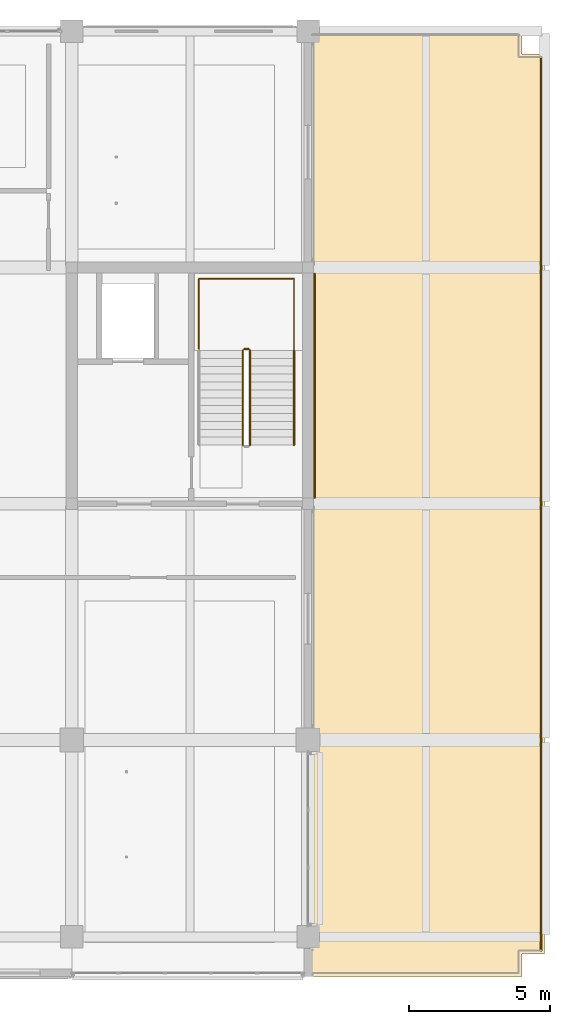
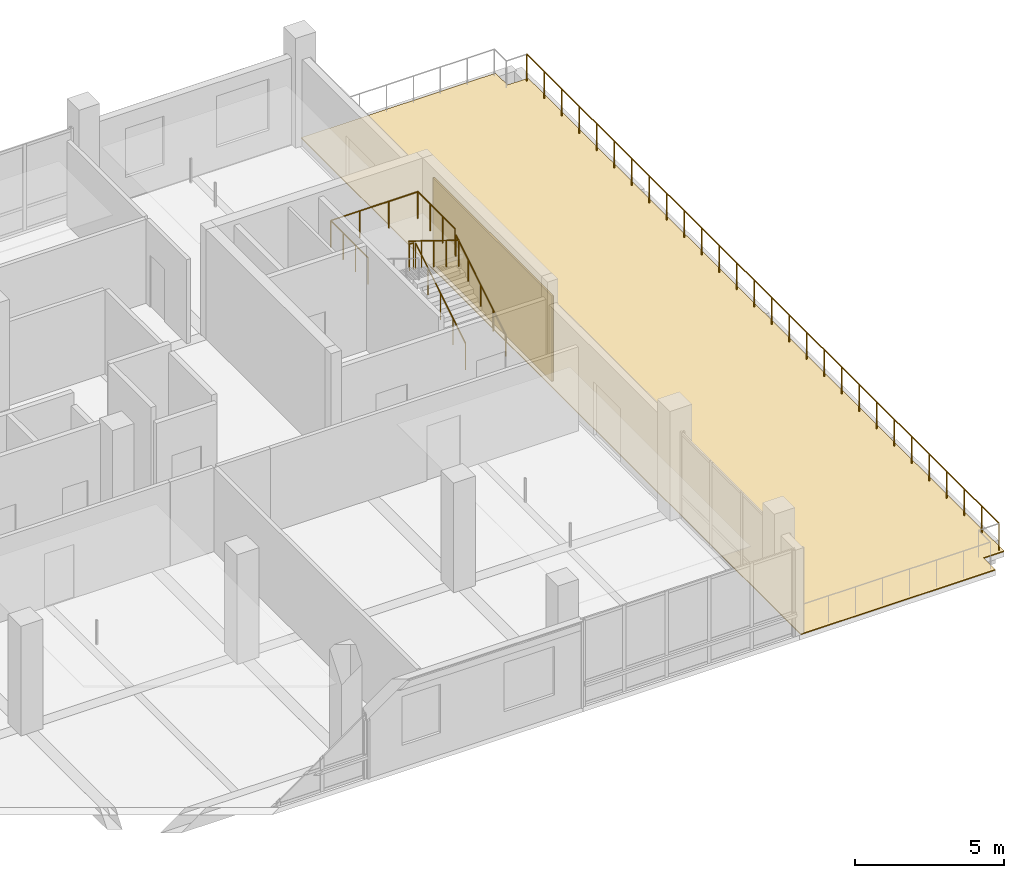
# One storey, part 32 of 36: 6 railings, 2 coverings.
"""IFC4 building model written with IfcOpenShell, lengths in metres."""

from ifc_helpers import new_model, si_unit, direction, frame, origin, origin_2d, place, context, subcontext, project, spatial, polyline, rectangle, circle, outline, extrude, material, layer, layer_set, type_object, element, save


model = new_model("IFC4")

# Units and contexts
model_context = context("Model", 3, precision=1e-05, world=origin(), true_north=direction((0.0, 1.0)))
body_context = subcontext(model_context, "Body", "Model", "MODEL_VIEW")
ifc_project = project(units=[si_unit("LENGTHUNIT", "METRE"), si_unit("AREAUNIT", "SQUARE_METRE"), si_unit("VOLUMEUNIT", "CUBIC_METRE"), si_unit("PLANEANGLEUNIT", "RADIAN"), si_unit("MASSUNIT", "GRAM", prefix="KILO")], contexts=[model_context])

# Site, building, storey
site_placement = place(None, origin())
site = spatial("IfcSite", under=ifc_project, at=site_placement, CompositionType="ELEMENT")
building_placement = place(site_placement, origin())
building = spatial("IfcBuilding", under=site, at=building_placement, Name="Telukmera Botanical Conservatory", CompositionType="ELEMENT")
storey_placement = place(building_placement, frame((0.0, 0.0, 33.0)))
storey = spatial("IfcBuildingStorey", under=building, at=storey_placement, Name="L07", CompositionType="ELEMENT", Elevation=33.0)

# Covering
ifc_material_1 = material(Name="Elastomeric bituminous waterproof roofing membrane")
ifc_layer_1 = layer(ifc_material_1, 0.030029296875)
ifc_layer_set_1 = layer_set([ifc_layer_1], Name="Elastomeric bituminous waterproof roofing membrane")
covering_type_1 = type_object("IfcCoveringType", Name="Elastomeric Bituminous Waterproof Roof Membrane", PredefinedType="ROOFING", material=ifc_layer_set_1)
covering_1_placement = place(storey_placement, origin())
element("IfcCovering", 1, at=covering_1_placement, inside=storey, type_object=covering_type_1, Name="Tower Sky Terrace Waterproofing Membrane L07", PredefinedType="ROOFING", context=body_context, shape_type="SweptSolid", body=[
    extrude(outline(polyline([(100.85009765625, 9.199951171875), (108.39990234375, 9.199951171875), (108.39990234375, 10.0), (109.199951171875, 10.0), (109.199951171875, 42.0), (108.39990234375, 42.0), (108.39990234375, 42.800048828125), (100.85009765625, 42.800048828125), (100.85009765625, 9.199951171875)])), origin(), (0.0, 0.0, 1.0), 0.0400390625),
])

# Railings
ifc_material_2 = material(Name="Brushed stainless steel grade 316", Category="steel")
railing_type_1 = type_object("IfcRailingType", Name="Exterior Terrace Safety Guardrail 1100", PredefinedType="GUARDRAIL", material=ifc_material_2)
railing_1_placement = place(storey_placement, frame((109.080078125, 10.1201171875, 0.0400390625)))
element("IfcRailing", 2, at=railing_1_placement, inside=storey, type_object=railing_type_1, Name="Tower Sky Terrace Guardrail L07 E", PredefinedType="GUARDRAIL", context=body_context, shape_type="SweptSolid", body=[
    extrude(circle(Radius=0.02392578125, at=origin_2d()), frame((0.0, 0.0, 1.09619140625), z_axis=(0.0, 1.0, 0.0), x_axis=(-1.0, 0.0, 0.0)), (0.0, 0.0, 1.0), 31.759765625),
    extrude(circle(Radius=0.02099609375, at=origin_2d()), origin(), (0.0, 0.0, 1.0), 1.072021484375),
    extrude(circle(Radius=0.02099609375, at=origin_2d()), frame((0.0, 1.17626953125, 0.0)), (0.0, 0.0, 1.0), 1.072021484375),
    extrude(circle(Radius=0.02099609375, at=origin_2d()), frame((0.0, 2.3525390625, 0.0)), (0.0, 0.0, 1.0), 1.072021484375),
    extrude(circle(Radius=0.02099609375, at=origin_2d()), frame((0.0, 3.52880859375, 0.0)), (0.0, 0.0, 1.0), 1.072021484375),
    extrude(circle(Radius=0.02099609375, at=origin_2d()), frame((0.0, 4.705078125, 0.0)), (0.0, 0.0, 1.0), 1.072021484375),
    extrude(circle(Radius=0.02099609375, at=origin_2d()), frame((0.0, 5.88134765625, 0.0)), (0.0, 0.0, 1.0), 1.072021484375),
    extrude(circle(Radius=0.02099609375, at=origin_2d()), frame((0.0, 7.0576171875, 0.0)), (0.0, 0.0, 1.0), 1.072021484375),
    extrude(circle(Radius=0.02099609375, at=origin_2d()), frame((0.0, 8.234130859375, 0.0)), (0.0, 0.0, 1.0), 1.072021484375),
    extrude(circle(Radius=0.02099609375, at=origin_2d()), frame((0.0, 9.410400390625, 0.0)), (0.0, 0.0, 1.0), 1.072021484375),
    extrude(circle(Radius=0.02099609375, at=origin_2d()), frame((0.0, 10.586669921875, 0.0)), (0.0, 0.0, 1.0), 1.072021484375),
    extrude(circle(Radius=0.02099609375, at=origin_2d()), frame((0.0, 11.762939453125, 0.0)), (0.0, 0.0, 1.0), 1.072021484375),
    extrude(circle(Radius=0.02099609375, at=origin_2d()), frame((0.0, 12.939208984375, 0.0)), (0.0, 0.0, 1.0), 1.072021484375),
    extrude(circle(Radius=0.02099609375, at=origin_2d()), frame((0.0, 14.115478515625, 0.0)), (0.0, 0.0, 1.0), 1.072021484375),
    extrude(circle(Radius=0.02099609375, at=origin_2d()), frame((0.0, 15.291748046875, 0.0)), (0.0, 0.0, 1.0), 1.072021484375),
    extrude(circle(Radius=0.02099609375, at=origin_2d()), frame((0.0, 16.468017578125, 0.0)), (0.0, 0.0, 1.0), 1.072021484375),
    extrude(circle(Radius=0.02099609375, at=origin_2d()), frame((0.0, 17.644287109375, 0.0)), (0.0, 0.0, 1.0), 1.072021484375),
    extrude(circle(Radius=0.02099609375, at=origin_2d()), frame((0.0, 18.820556640625, 0.0)), (0.0, 0.0, 1.0), 1.072021484375),
    extrude(circle(Radius=0.02099609375, at=origin_2d()), frame((0.0, 19.996826171875, 0.0)), (0.0, 0.0, 1.0), 1.072021484375),
    extrude(circle(Radius=0.02099609375, at=origin_2d()), frame((0.0, 21.173095703125, 0.0)), (0.0, 0.0, 1.0), 1.072021484375),
    extrude(circle(Radius=0.02099609375, at=origin_2d()), frame((0.0, 22.349365234375, 0.0)), (0.0, 0.0, 1.0), 1.072021484375),
    extrude(circle(Radius=0.02099609375, at=origin_2d()), frame((0.0, 23.525634765625, 0.0)), (0.0, 0.0, 1.0), 1.072021484375),
    extrude(circle(Radius=0.02099609375, at=origin_2d()), frame((0.0, 24.7021484375, 0.0)), (0.0, 0.0, 1.0), 1.072021484375),
    extrude(circle(Radius=0.02099609375, at=origin_2d()), frame((0.0, 25.87841796875, 0.0)), (0.0, 0.0, 1.0), 1.072021484375),
    extrude(circle(Radius=0.02099609375, at=origin_2d()), frame((0.0, 27.0546875, 0.0)), (0.0, 0.0, 1.0), 1.072021484375),
    extrude(circle(Radius=0.02099609375, at=origin_2d()), frame((0.0, 28.23095703125, 0.0)), (0.0, 0.0, 1.0), 1.072021484375),
    extrude(circle(Radius=0.02099609375, at=origin_2d()), frame((0.0, 29.4072265625, 0.0)), (0.0, 0.0, 1.0), 1.072021484375),
    extrude(circle(Radius=0.02099609375, at=origin_2d()), frame((0.0, 30.58349609375, 0.0)), (0.0, 0.0, 1.0), 1.072021484375),
    extrude(circle(Radius=0.02099609375, at=origin_2d()), frame((0.0, 31.759765625, 0.0)), (0.0, 0.0, 1.0), 1.072021484375),
])
ifc_material_3 = material(Name="Steel S355", Category="steel")
railing_type_2 = type_object("IfcRailingType", Name="RL-GUARD-1100", PredefinedType="GUARDRAIL", material=ifc_material_3)
railing_2_placement = place(storey_placement, frame((98.739990234375, 28.090087890625, 0.173095703125)))
element("IfcRailing", 3, at=railing_2_placement, inside=storey, type_object=railing_type_2, Name="L07 ST2 stair guard 1", PredefinedType="GUARDRAIL", context=body_context, shape_type="SweptSolid", body=[
    extrude(circle(Radius=0.02392578125, at=origin_2d()), frame((0.0, 0.0, 1.076171875), z_axis=(0.0, 0.850606129759, 0.525803396734), x_axis=(-1.0, 0.0, 0.0)), (0.0, 0.0, 1.0), 3.949951171875),
    extrude(circle(Radius=0.02099609375, at=origin_2d()), origin(), (0.0, 0.0, 1.0), 1.052001953125),
    extrude(circle(Radius=0.02099609375, at=origin_2d()), frame((0.0, 0.83984375, 0.519287109375)), (0.0, 0.0, 1.0), 1.052001953125),
    extrude(circle(Radius=0.02099609375, at=origin_2d()), frame((0.0, 1.679931640625, 1.03857421875)), (0.0, 0.0, 1.0), 1.052001953125),
    extrude(circle(Radius=0.02099609375, at=origin_2d()), frame((0.0, 2.52001953125, 1.5576171875)), (0.0, 0.0, 1.0), 1.052001953125),
    extrude(circle(Radius=0.02099609375, at=origin_2d()), frame((0.0, 3.35986328125, 2.076904296875)), (0.0, 0.0, 1.0), 1.052001953125),
])
railing_3_placement = place(storey_placement, frame((98.68994140625, 31.5, 2.25)))
element("IfcRailing", 4, at=railing_3_placement, inside=storey, type_object=railing_type_2, Name="L07 ST2 stair guard 2", PredefinedType="GUARDRAIL", context=body_context, shape_type="SweptSolid", body=[
    extrude(circle(Radius=0.02392578125, at=origin_2d()), frame((0.0, 0.0, 1.076171875), z_axis=(-1.0, 0.0, 0.0), x_axis=(0.0, -1.0, 0.0)), (0.0, 0.0, 1.0), 0.159912109375),
    extrude(circle(Radius=0.02099609375, at=origin_2d()), origin(), (0.0, 0.0, 1.0), 1.052001953125),
    extrude(circle(Radius=0.02099609375, at=origin_2d()), frame((-0.159912109375, 0.0, 0.0)), (0.0, 0.0, 1.0), 1.052001953125),
])
railing_4_placement = place(storey_placement, frame((98.47998046875, 31.449951171875, 2.423095703125)))
element("IfcRailing", 5, at=railing_4_placement, inside=storey, type_object=railing_type_2, Name="L07 ST2 stair guard 3", PredefinedType="GUARDRAIL", context=body_context, shape_type="SweptSolid", body=[
    extrude(circle(Radius=0.02392578125, at=origin_2d()), frame((0.0, 0.0, 1.076171875), z_axis=(0.0, -0.850606129759, 0.525803396734), x_axis=(1.0, 0.0, 0.0)), (0.0, 0.0, 1.0), 3.949951171875),
    extrude(circle(Radius=0.02099609375, at=origin_2d()), origin(), (0.0, 0.0, 1.0), 1.052001953125),
    extrude(circle(Radius=0.02099609375, at=origin_2d()), frame((0.0, -0.83984375, 0.519287109375)), (0.0, 0.0, 1.0), 1.052001953125),
    extrude(circle(Radius=0.02099609375, at=origin_2d()), frame((0.0, -1.679931640625, 1.03857421875)), (0.0, 0.0, 1.0), 1.052001953125),
    extrude(circle(Radius=0.02099609375, at=origin_2d()), frame((0.0, -2.52001953125, 1.5576171875)), (0.0, 0.0, 1.0), 1.052001953125),
    extrude(circle(Radius=0.02099609375, at=origin_2d()), frame((0.0, -3.35986328125, 2.076904296875)), (0.0, 0.0, 1.0), 1.052001953125),
])
railing_5_placement = place(storey_placement, frame((100.300048828125, 31.5, 2.25)))
element("IfcRailing", 6, at=railing_5_placement, inside=storey, type_object=railing_type_2, Name="L07 ST2 half-landing perimeter guard 1", PredefinedType="GUARDRAIL", context=body_context, shape_type="SweptSolid", body=[
    extrude(circle(Radius=0.02392578125, at=origin_2d()), frame((0.0, 0.0, 1.09619140625), z_axis=(0.0, 1.0, 0.0), x_axis=(-1.0, 0.0, 0.0)), (0.0, 0.0, 1.0), 2.5),
    extrude(circle(Radius=0.02392578125, at=origin_2d()), frame((0.0, 2.5, 1.09619140625), z_axis=(-1.0, 0.0, 0.0), x_axis=(0.0, -1.0, 0.0)), (0.0, 0.0, 1.0), 3.380126953125),
    extrude(circle(Radius=0.02392578125, at=origin_2d()), frame((-3.380126953125, 2.5, 1.09619140625), z_axis=(0.0, -1.0, 0.0), x_axis=(1.0, 0.0, 0.0)), (0.0, 0.0, 1.0), 2.5),
    extrude(circle(Radius=0.02099609375, at=origin_2d()), origin(), (0.0, 0.0, 1.0), 1.072021484375),
    extrude(circle(Radius=0.02099609375, at=origin_2d()), frame((0.0, 0.833251953125, 0.0)), (0.0, 0.0, 1.0), 1.072021484375),
    extrude(circle(Radius=0.02099609375, at=origin_2d()), frame((0.0, 1.666748046875, 0.0)), (0.0, 0.0, 1.0), 1.072021484375),
    extrude(circle(Radius=0.02099609375, at=origin_2d()), frame((0.0, 2.5, 0.0)), (0.0, 0.0, 1.0), 1.072021484375),
    extrude(circle(Radius=0.02099609375, at=origin_2d()), frame((-1.126708984375, 2.5, 0.0)), (0.0, 0.0, 1.0), 1.072021484375),
    extrude(circle(Radius=0.02099609375, at=origin_2d()), frame((-2.25341796875, 2.5, 0.0)), (0.0, 0.0, 1.0), 1.072021484375),
    extrude(circle(Radius=0.02099609375, at=origin_2d()), frame((-3.380126953125, 2.5, 0.0)), (0.0, 0.0, 1.0), 1.072021484375),
    extrude(circle(Radius=0.02099609375, at=origin_2d()), frame((-3.380126953125, 1.666748046875, 0.0)), (0.0, 0.0, 1.0), 1.072021484375),
    extrude(circle(Radius=0.02099609375, at=origin_2d()), frame((-3.380126953125, 0.833251953125, 0.0)), (0.0, 0.0, 1.0), 1.072021484375),
    extrude(circle(Radius=0.02099609375, at=origin_2d()), frame((-3.380126953125, 0.0, 0.0)), (0.0, 0.0, 1.0), 1.072021484375),
])
ifc_material_4 = material(Name="Stainless steel 316", Category="steel")
railing_type_3 = type_object("IfcRailingType", Name="RL-HAND-900", PredefinedType="HANDRAIL", material=ifc_material_4)
railing_6_placement = place(storey_placement, frame((100.300048828125, 28.090087890625, 0.173095703125)))
element("IfcRailing", 7, at=railing_6_placement, inside=storey, type_object=railing_type_3, Name="L07 ST2 stair handrail 1", PredefinedType="HANDRAIL", context=body_context, shape_type="SweptSolid", body=[
    extrude(circle(Radius=0.02392578125, at=origin_2d()), frame((0.0, 0.0, 0.8759765625), z_axis=(0.0, 0.850606129759, 0.525803396734), x_axis=(-1.0, 0.0, 0.0)), (0.0, 0.0, 1.0), 3.949951171875),
    extrude(circle(Radius=0.02099609375, at=origin_2d()), origin(), (0.0, 0.0, 1.0), 0.851806640625),
    extrude(circle(Radius=0.02099609375, at=origin_2d()), frame((0.0, 0.83984375, 0.519287109375)), (0.0, 0.0, 1.0), 0.851806640625),
    extrude(circle(Radius=0.02099609375, at=origin_2d()), frame((0.0, 1.679931640625, 1.03857421875)), (0.0, 0.0, 1.0), 0.851806640625),
    extrude(circle(Radius=0.02099609375, at=origin_2d()), frame((0.0, 2.52001953125, 1.5576171875)), (0.0, 0.0, 1.0), 0.851806640625),
    extrude(circle(Radius=0.02099609375, at=origin_2d()), frame((0.0, 3.35986328125, 2.076904296875)), (0.0, 0.0, 1.0), 0.851806640625),
])

# Covering
ifc_material_5 = material(Name="Terracotta-faced precast concrete C40/50", Category="masonry")
ifc_layer_2 = layer(ifc_material_5, 0.06005859375)
ifc_layer_set_2 = layer_set([ifc_layer_2], Name="Terracotta-faced precast concrete C40/50")
covering_type_2 = type_object("IfcCoveringType", Name="Terracotta Core Perimeter Cladding Panel", PredefinedType="CLADDING", material=ifc_layer_set_2)
covering_2_placement = place(storey_placement, frame((101.030029296875, 30.199951171875, 0.0), z_axis=(0.0, 0.0, 1.0), x_axis=(0.0, 1.0, 0.0)))
element("IfcCovering", 8, at=covering_2_placement, inside=storey, type_object=covering_type_2, Name="Core Perimeter Terracotta Cladding V4:L07:E3", PredefinedType="CLADDING", context=body_context, shape_type="SweptSolid", body=[
    extrude(rectangle(XDim=7.99609375, YDim=0.06005859375, at=origin_2d()), origin(), (0.0, 0.0, 1.0), 3.550048828125),
])

save(model, "model.ifc")
